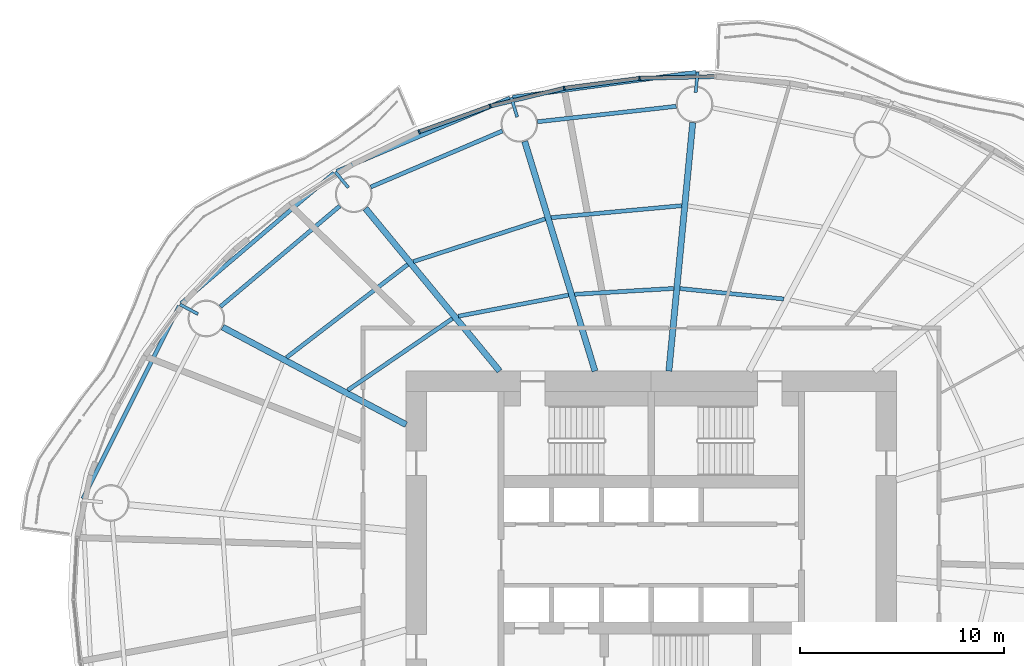
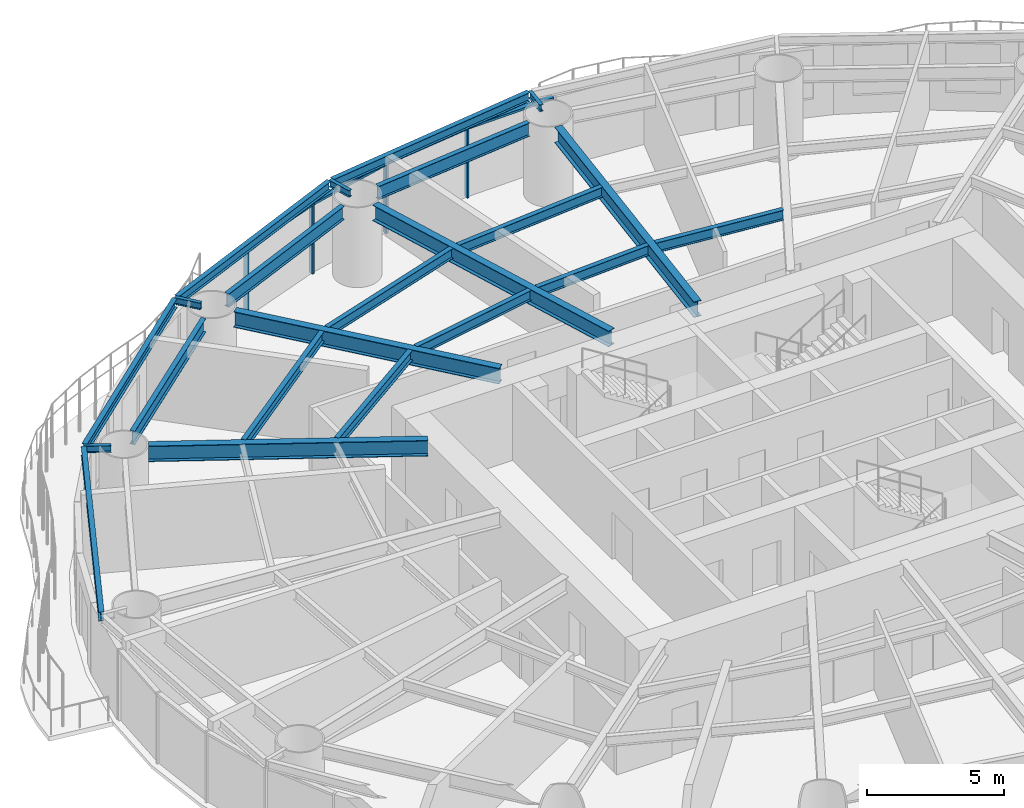
# One storey, part 5 of 17: 22 beams, 8 members, 4 elements without a shape of their own.
"""IFC4 building model written with IfcOpenShell, lengths in metres."""

import ifcopenshell
import ifcopenshell.guid

model = None  # the IFC model being written
_history = None  # IfcOwnerHistory: only IFC2X3 demands one
_inside = {}  # id of a spatial element -> (the spatial element, [elements in it])
_under = {}  # id of a project, library or spatial element -> (it, [spatial elements below it])
_declared = {}  # id of a project -> (the project, [libraries it declares])
_typed = {}  # id of a type object -> (the type object, [elements of that type])
_made_of = {}  # id of a material, layer set ... -> (it, [elements and type objects made of it])


def new_model(schema):
    """Start an empty IFC model of exactly this schema.

    Asked for "IFC4X3", IfcOpenShell would pick the latest addendum, in which some entities
    have other attributes; the version numbers below select the first issue.
    IFC2X3 requires an IfcOwnerHistory on every rooted entity: one is made here for all.
    """
    global model, _history
    if schema == "IFC4X3":
        model = ifcopenshell.file(schema_version=(4, 3, 0, 0))
    else:
        model = ifcopenshell.file(schema=schema)
    _inside.clear()
    _under.clear()
    _declared.clear()
    _typed.clear()
    _made_of.clear()
    _history = None
    if model.schema == "IFC2X3":
        org = make("IfcOrganization", Name="unknown")
        user = make(
            "IfcPersonAndOrganization",
            ThePerson=make("IfcPerson", FamilyName="unknown"),
            TheOrganization=org,
        )
        app = make(
            "IfcApplication",
            ApplicationDeveloper=org,
            Version="unknown",
            ApplicationFullName="unknown",
            ApplicationIdentifier="unknown",
        )
        _history = make(
            "IfcOwnerHistory",
            OwningUser=user,
            OwningApplication=app,
            ChangeAction="ADDED",
            CreationDate=0,
        )
    return model


def make(cls, **values):
    """One entity of the class cls with the attributes given. An attribute that is None is left unset."""
    return model.create_entity(
        cls, **{name: value for name, value in values.items() if value is not None}
    )


def rooted(cls, **values):
    """An entity with a GlobalId (a new one), such as an element, a storey or a relation."""
    return make(cls, GlobalId=ifcopenshell.guid.new(), OwnerHistory=_history, **values)


def si_unit(unit_type, name, prefix=None):
    """IfcSIUnit, for example si_unit("LENGTHUNIT", "METRE", prefix="MILLI")."""
    return make("IfcSIUnit", UnitType=unit_type, Prefix=prefix, Name=name)


def assignment(units):
    """IfcUnitAssignment: the units of a project."""
    return None if units is None else make("IfcUnitAssignment", Units=units)


def point(xyz):
    """IfcCartesianPoint."""
    return None if xyz is None else make("IfcCartesianPoint", Coordinates=xyz)


def direction(xyz):
    """IfcDirection."""
    return None if xyz is None else make("IfcDirection", DirectionRatios=xyz)


def frame(location, z_axis=None, x_axis=None):
    """IfcAxis2Placement3D, a coordinate frame: its origin and axes. An axis left out is left unset."""
    return make(
        "IfcAxis2Placement3D",
        Location=point(location),
        Axis=direction(z_axis),
        RefDirection=direction(x_axis),
    )


def frame_2d(location, x_axis=None):
    """IfcAxis2Placement2D, a coordinate frame in the plane: its origin and x axis."""
    return make(
        "IfcAxis2Placement2D", Location=point(location), RefDirection=direction(x_axis)
    )


def origin():
    """The frame at (0, 0, 0) with its axes left unset."""
    return frame((0.0, 0.0, 0.0))


def origin_2d():
    """The frame at (0, 0) in the plane with its x axis left unset."""
    return frame_2d((0.0, 0.0))


def place(relative_to, where):
    """IfcLocalPlacement: puts the frame where relative to a parent placement (None: the world)."""
    return make(
        "IfcLocalPlacement", PlacementRelTo=relative_to, RelativePlacement=where
    )


def context(
    kind, dimensions, precision=None, world=None, true_north=None, identifier=None
):
    """IfcGeometricRepresentationContext, for example the 3D "Model" context."""
    return make(
        "IfcGeometricRepresentationContext",
        ContextIdentifier=identifier,
        ContextType=kind,
        CoordinateSpaceDimension=dimensions,
        Precision=precision,
        WorldCoordinateSystem=world,
        TrueNorth=true_north,
    )


def subcontext(parent, identifier, kind, view, scale=None):
    """IfcGeometricRepresentationSubContext, for example "Body" below "Model"."""
    return make(
        "IfcGeometricRepresentationSubContext",
        ContextIdentifier=identifier,
        ContextType=kind,
        ParentContext=parent,
        TargetScale=scale,
        TargetView=view,
    )


def project(units=None, contexts=None):
    """IfcProject with its units and contexts."""
    return rooted(
        "IfcProject",
        Name="project",
        RepresentationContexts=contexts,
        UnitsInContext=assignment(units),
    )


def spatial(cls, under=None, at=None, **own):
    """A site, building, storey or space (cls), placed at a placement, below another one or the project."""
    s = rooted(cls, ObjectPlacement=at, **own)
    if under is not None:
        _under.setdefault(under.id(), (under, []))[1].append(s)
    return s


def profile(cls, at=None, kind="AREA", **sizes):
    """A parametric profile (cls). Its sizes go by their IFC names, for example OverallWidth=200.0."""
    return make(cls, ProfileType=kind, Position=at, **sizes)


def rectangle(**sizes):
    """IfcRectangleProfileDef."""
    return profile("IfcRectangleProfileDef", **sizes)


def i_section(**sizes):
    """IfcIShapeProfileDef."""
    return profile("IfcIShapeProfileDef", **sizes)


def extrude(swept, where, along, depth):
    """IfcExtrudedAreaSolid: the profile swept, set in the frame where, extruded along a direction by depth."""
    return make(
        "IfcExtrudedAreaSolid",
        SweptArea=swept,
        Position=where,
        ExtrudedDirection=direction(along),
        Depth=depth,
    )


def shape(context_of_items, identifier, shape_type, items):
    """IfcShapeRepresentation: the items that make up one representation, for example the "Body"."""
    return make(
        "IfcShapeRepresentation",
        ContextOfItems=context_of_items,
        RepresentationIdentifier=identifier,
        RepresentationType=shape_type,
        Items=items,
    )


def material(Name=None, Category=None):
    """IfcMaterial."""
    return make("IfcMaterial", Name=Name, Category=Category)


def material_profile(
    of_material, cross_section, Name=None, Category=None, Priority=None
):
    """IfcMaterialProfile: a cross section and its material."""
    return make(
        "IfcMaterialProfile",
        Name=Name,
        Material=of_material,
        Profile=cross_section,
        Priority=Priority,
        Category=Category,
    )


def profile_set(profiles, Name=None, composite=None):
    """IfcMaterialProfileSet."""
    return make(
        "IfcMaterialProfileSet",
        Name=Name,
        MaterialProfiles=profiles,
        CompositeProfile=composite,
    )


def made_of(thing, what):
    """Note that an element or type object is made of a material, layer set ...; save() writes the relation."""
    if what is not None:
        _made_of.setdefault(what.id(), (what, []))[1].append(thing)
    return thing


def type_object(cls, material=None, **own):
    """A type object (cls), such as IfcWallType, which elements share."""
    return made_of(rooted(cls, **own), material)


def element(
    cls,
    number,
    at=None,
    inside=None,
    cuts=None,
    type_object=None,
    material=None,
    context=None,
    identifier="Body",
    shape_type=None,
    held_by="IfcProductDefinitionShape",
    body=None,
    shapes=None,
    **own,
):
    """One element of the class cls, such as IfcWall. Its Tag is "e" and its number.

    at: its placement. inside: the storey or other place that contains it. cuts: it is an
    opening in that element (IfcRelVoidsElement). A single representation is given by context,
    identifier, shape_type and body (its items); several are given by shapes. held_by: the class
    of the entity that holds the representations. save() writes the other relations.
    """
    e = rooted(cls, Tag="e%d" % number, ObjectPlacement=at, **own)
    if body is not None:
        shapes = [shape(context, identifier, shape_type, body)]
    if shapes is not None:
        e.Representation = make(held_by, Representations=shapes)
    if inside is not None:
        _inside.setdefault(inside.id(), (inside, []))[1].append(e)
    if cuts is not None:
        rooted(
            "IfcRelVoidsElement", RelatingBuildingElement=cuts, RelatedOpeningElement=e
        )
    if type_object is not None:
        _typed.setdefault(type_object.id(), (type_object, []))[1].append(e)
    return made_of(e, material)


def aggregate(whole, parts):
    """IfcRelAggregates: a whole, such as a stair, and the parts it consists of."""
    return rooted("IfcRelAggregates", RelatingObject=whole, RelatedObjects=parts)


def save(model, path):
    """Write the relations noted so far, then the file.

    IfcRelAggregates (storeys below a building ...), IfcRelContainedInSpatialStructure (elements
    in a storey), IfcRelDefinesByType, IfcRelAssociatesMaterial and IfcRelDeclares: one each for
    every whole, place, type object, material and project.
    """
    for whole, parts in _under.values():
        aggregate(whole, parts)
    for where, things in _inside.values():
        rooted(
            "IfcRelContainedInSpatialStructure",
            RelatedElements=things,
            RelatingStructure=where,
        )
    for kind, things in _typed.values():
        rooted("IfcRelDefinesByType", RelatedObjects=things, RelatingType=kind)
    for what, things in _made_of.values():
        rooted("IfcRelAssociatesMaterial", RelatedObjects=things, RelatingMaterial=what)
    for by, libraries in _declared.values():
        rooted("IfcRelDeclares", RelatingContext=by, RelatedDefinitions=libraries)
    model.write(path)


model = new_model("IFC4")

# Units and contexts
model_context = context("Model", 3, precision=1e-05, world=origin(), true_north=direction((0.0, 1.0)))
body_context = subcontext(model_context, "Body", "Model", "MODEL_VIEW")
ifc_project = project(units=[si_unit("LENGTHUNIT", "METRE"), si_unit("AREAUNIT", "SQUARE_METRE"), si_unit("VOLUMEUNIT", "CUBIC_METRE"), si_unit("PLANEANGLEUNIT", "RADIAN"), si_unit("MASSUNIT", "GRAM", prefix="KILO")], contexts=[model_context])

# Site, building, storey
site_placement = place(None, origin())
site = spatial("IfcSite", under=ifc_project, at=site_placement, CompositionType="ELEMENT")
building_placement = place(site_placement, origin())
building = spatial("IfcBuilding", under=site, at=building_placement, Name="Vermilion Reach Broadcast Tower", CompositionType="ELEMENT")
storey_placement = place(building_placement, frame((0.0, 0.0, 76.699951171875)))
storey = spatial("IfcBuildingStorey", under=building, at=storey_placement, Name="L16", CompositionType="ELEMENT", Elevation=76.699951171875)

# Beams
ifc_material_1 = material(Name="Steel S355J2", Category="steel")
ifc_material_profile_1 = material_profile(ifc_material_1, i_section(OverallWidth=0.199951171875, OverallDepth=0.39990234375, WebThickness=0.008056640625, FlangeThickness=0.012939453125, at=origin_2d()), Name="S355J2 HN 400x200x8x13")
ifc_profile_set_1 = profile_set([ifc_material_profile_1], Name="Steel S355J2")
beam_type_1 = type_object("IfcBeamType", Name="EB1 HN 400x200x8x13", PredefinedType="BEAM", material=ifc_profile_set_1)
beam_1_placement = place(storey_placement, frame((-3.804443359375, 23.627197265625, 3.35009765625), z_axis=(-0.990840338484, -0.135038600531, 0.0), x_axis=(0.135038600531, -0.990840338484, 0.0)))
element("IfcBeam", 1, at=beam_1_placement, inside=storey, type_object=beam_type_1, Name="Edge beam EB1-04", PredefinedType="BEAM", context=body_context, shape_type="SweptSolid", body=[
    extrude(i_section(OverallWidth=0.199951171875, OverallDepth=0.39990234375, WebThickness=0.008056640625, FlangeThickness=0.012939453125, at=origin_2d()), origin(), (0.0, 0.0, 1.0), 9.05419921875),
])
beam_2_placement = place(storey_placement, frame((-12.92041015625, 22.36474609375, 3.35009765625), z_axis=(-0.921083341804, -0.38936548056, 0.0), x_axis=(0.38936548056, -0.921083341804, 0.0)))
element("IfcBeam", 2, at=beam_2_placement, inside=storey, type_object=beam_type_1, Name="Edge beam EB1-05", PredefinedType="BEAM", context=body_context, shape_type="SweptSolid", body=[
    extrude(i_section(OverallWidth=0.199951171875, OverallDepth=0.39990234375, WebThickness=0.008056640625, FlangeThickness=0.012939453125, at=origin_2d()), origin(), (0.0, 0.0, 1.0), 9.19775390625),
])
beam_3_placement = place(storey_placement, frame((-21.521484375, 18.704345703125, 3.35009765625), z_axis=(-0.760702483085, -0.64910071039, 0.0), x_axis=(0.64910071039, -0.760702483085, 0.0)))
element("IfcBeam", 3, at=beam_3_placement, inside=storey, type_object=beam_type_1, Name="Edge beam EB1-06", PredefinedType="BEAM", context=body_context, shape_type="SweptSolid", body=[
    extrude(i_section(OverallWidth=0.199951171875, OverallDepth=0.39990234375, WebThickness=0.008056640625, FlangeThickness=0.012939453125, at=origin_2d()), origin(), (0.0, 0.0, 1.0), 9.84423828125),
])
beam_4_placement = place(storey_placement, frame((-29.10498046875, 12.195068359375, 3.35009765625), z_axis=(-0.446732551643, -0.894667551274, 0.0), x_axis=(0.894667551274, -0.446732551643, 0.0)))
element("IfcBeam", 4, at=beam_4_placement, inside=storey, type_object=beam_type_1, Name="Edge beam EB1-07", PredefinedType="BEAM", context=body_context, shape_type="SweptSolid", body=[
    extrude(i_section(OverallWidth=0.199951171875, OverallDepth=0.39990234375, WebThickness=0.008056640625, FlangeThickness=0.012939453125, at=origin_2d()), origin(), (0.0, 0.0, 1.0), 10.557861328125),
])
ifc_material_2 = material(Name="Steel S355J2", Category="steel")
ifc_material_profile_2 = material_profile(ifc_material_2, i_section(OverallWidth=0.300048828125, OverallDepth=0.699951171875, WebThickness=0.012939453125, FlangeThickness=0.02392578125, at=origin_2d()), Name="S355J2 HN 700x300x13x24")
ifc_profile_set_2 = profile_set([ifc_material_profile_2], Name="Steel S355J2")
beam_type_2 = type_object("IfcBeamType", Name="G1 HN 700x300x13x24", PredefinedType="BEAM", material=ifc_profile_set_2)
beam_5_placement = place(storey_placement, frame((-5.135009765625, 9.0, 3.199951171875), z_axis=(0.09566673912, 0.995413419151, 0.0), x_axis=(-0.995413419151, 0.09566673912, 0.0)))
element("IfcBeam", 5, at=beam_5_placement, inside=storey, type_object=beam_type_2, Name="Girder G1-04", PredefinedType="BEAM", context=body_context, shape_type="SweptSolid", body=[
    extrude(i_section(OverallWidth=0.300048828125, OverallDepth=0.699951171875, WebThickness=0.012939453125, FlangeThickness=0.02392578125, at=origin_2d()), origin(), (0.0, 0.0, 1.0), 12.22412109375),
])
beam_6_placement = place(storey_placement, frame((-8.753173828125, 9.0, 3.199951171875), z_axis=(-0.292542302886, 0.95625258223, 0.0), x_axis=(-0.95625258223, -0.292542302886, 0.0)))
element("IfcBeam", 6, at=beam_6_placement, inside=storey, type_object=beam_type_2, Name="Girder G1-05", PredefinedType="BEAM", context=body_context, shape_type="SweptSolid", body=[
    extrude(i_section(OverallWidth=0.300048828125, OverallDepth=0.699951171875, WebThickness=0.012939453125, FlangeThickness=0.02392578125, at=origin_2d()), origin(), (0.0, 0.0, 1.0), 11.76220703125),
])
beam_7_placement = place(storey_placement, frame((-13.421630859375, 9.0, 3.199951171875), z_axis=(-0.636215165107, 0.77151167437, 0.0), x_axis=(-0.77151167437, -0.636215165107, 0.0)))
element("IfcBeam", 7, at=beam_7_placement, inside=storey, type_object=beam_type_2, Name="Girder G1-06", PredefinedType="BEAM", context=body_context, shape_type="SweptSolid", body=[
    extrude(i_section(OverallWidth=0.300048828125, OverallDepth=0.699951171875, WebThickness=0.012939453125, FlangeThickness=0.02392578125, at=origin_2d()), origin(), (0.0, 0.0, 1.0), 10.3251953125),
])
beam_8_placement = place(storey_placement, frame((-18.0, 6.3779296875, 3.199951171875), z_axis=(-0.883032139419, 0.469312519279, 0.0), x_axis=(-0.469312519279, -0.883032139419, 0.0)))
element("IfcBeam", 8, at=beam_8_placement, inside=storey, type_object=beam_type_2, Name="Girder G1-07", PredefinedType="BEAM", context=body_context, shape_type="SweptSolid", body=[
    extrude(i_section(OverallWidth=0.300048828125, OverallDepth=0.699951171875, WebThickness=0.012939453125, FlangeThickness=0.02392578125, at=origin_2d()), origin(), (0.0, 0.0, 1.0), 10.17529296875),
])
ifc_material_3 = material(Name="Steel S355J2", Category="steel")
ifc_material_profile_3 = material_profile(ifc_material_3, i_section(OverallWidth=0.14990234375, OverallDepth=0.300048828125, WebThickness=0.006591796875, FlangeThickness=0.009033203125, at=origin_2d()), Name="S355J2 HN 300x150x6.5x9")
ifc_profile_set_3 = profile_set([ifc_material_profile_3], Name="Steel S355J2")
beam_type_3 = type_object("IfcBeamType", Name="GS1 HN 300x150x6.5x9", PredefinedType="BEAM", material=ifc_profile_set_3)
for number, where, z_axis, x_axis, name in (
    (9, (-3.82373046875, 22.642333984375, 3.400146484375), (0.095707754417, 0.995409476419, 0.0), (-0.995409476419, 0.095707754417, 0.0), "Cantilever stub GS1-04"),
    (10, (-12.558349609375, 21.43798828125, 3.400146484375), (-0.292472824594, 0.95627383467, 0.0), (-0.95627383467, -0.292472824594, 0.0), "Cantilever stub GS1-05"),
    (11, (-20.828125, 17.9814453125, 3.400146484375), (-0.636237674108, 0.771493112118, 0.0), (-0.771493112118, -0.636237674108, 0.0), "Cantilever stub GS1-06"),
    (12, (-28.1884765625, 11.792724609375, 3.400146484375), (-0.882967123333, 0.469434829463, 0.0), (-0.469434829463, -0.882967123333, 0.0), "Cantilever stub GS1-07"),
):
    element("IfcBeam", number, at=place(storey_placement, frame(where, z_axis=z_axis, x_axis=x_axis)), inside=storey, type_object=beam_type_3, Name=name, PredefinedType="BEAM", context=body_context, shape_type="SweptSolid", body=[
        extrude(i_section(OverallWidth=0.14990234375, OverallDepth=0.300048828125, WebThickness=0.006591796875, FlangeThickness=0.009033203125, at=origin_2d()), origin(), (0.0, 0.0, 1.0), 1.0),
    ])
ifc_material_4 = material(Name="Steel S355J2", Category="steel")
ifc_material_profile_4 = material_profile(ifc_material_4, i_section(OverallWidth=0.199951171875, OverallDepth=0.60009765625, WebThickness=0.010986328125, FlangeThickness=0.01708984375, at=origin_2d()), Name="S355J2 HN 600x200x11x17")
ifc_profile_set_4 = profile_set([ifc_material_profile_4], Name="Steel S355J2")
beam_type_4 = type_object("IfcBeamType", Name="RB1 HN 600x200x11x17", PredefinedType="BEAM", material=ifc_profile_set_4)
beam_9_placement = place(storey_placement, frame((-4.77392578125, 21.964111328125, 3.25), z_axis=(-0.993851439324, -0.110721798009, 0.0), x_axis=(0.110721798009, -0.993851439324, 0.0)))
element("IfcBeam", 13, at=beam_9_placement, inside=storey, type_object=beam_type_4, Name="Ring beam RB1-04", PredefinedType="BEAM", context=body_context, shape_type="SweptSolid", body=[
    extrude(i_section(OverallWidth=0.199951171875, OverallDepth=0.60009765625, WebThickness=0.010986328125, FlangeThickness=0.01708984375, at=origin_2d()), origin(), (0.0, 0.0, 1.0), 6.8310546875),
])
beam_10_placement = place(storey_placement, frame((-13.28564453125, 20.755859375, 3.25), z_axis=(-0.920220846584, -0.391399531825, 0.0), x_axis=(0.391399531825, -0.920220846584, 0.0)))
element("IfcBeam", 14, at=beam_10_placement, inside=storey, type_object=beam_type_4, Name="Ring beam RB1-05", PredefinedType="BEAM", context=body_context, shape_type="SweptSolid", body=[
    extrude(i_section(OverallWidth=0.199951171875, OverallDepth=0.60009765625, WebThickness=0.010986328125, FlangeThickness=0.01708984375, at=origin_2d()), origin(), (0.0, 0.0, 1.0), 7.008544921875),
])
beam_11_placement = place(storey_placement, frame((-21.251220703125, 17.080322265625, 3.25), z_axis=(-0.764512441084, -0.6446089725, 0.0), x_axis=(0.6446089725, -0.764512441084, 0.0)))
element("IfcBeam", 15, at=beam_11_placement, inside=storey, type_object=beam_type_4, Name="Ring beam RB1-06", PredefinedType="BEAM", context=body_context, shape_type="SweptSolid", body=[
    extrude(i_section(OverallWidth=0.199951171875, OverallDepth=0.60009765625, WebThickness=0.010986328125, FlangeThickness=0.01708984375, at=origin_2d()), origin(), (0.0, 0.0, 1.0), 7.6396484375),
])
ifc_material_5 = material(Name="Steel S355J2", Category="steel")
ifc_material_profile_5 = material_profile(ifc_material_5, i_section(OverallWidth=0.199951171875, OverallDepth=0.449951171875, WebThickness=0.009033203125, FlangeThickness=0.013916015625, at=origin_2d()), Name="S355J2 HN 450x200x9x14")
ifc_profile_set_5 = profile_set([ifc_material_profile_5], Name="Steel S355J2")
beam_type_5 = type_object("IfcBeamType", Name="SB1 HN 450x200x9x14", PredefinedType="BEAM", material=ifc_profile_set_5)
beam_12_placement = place(storey_placement, frame((0.490234375, 12.531005859375, 3.324951171875), z_axis=(-0.995010199331, 0.099773259079, 0.0), x_axis=(-0.099773259079, -0.995010199331, 0.0)))
element("IfcBeam", 16, at=beam_12_placement, inside=storey, type_object=beam_type_5, Name="Secondary beam SB1-03-1", PredefinedType="BEAM", context=body_context, shape_type="SweptSolid", body=[
    extrude(i_section(OverallWidth=0.199951171875, OverallDepth=0.449951171875, WebThickness=0.009033203125, FlangeThickness=0.013916015625, at=origin_2d()), origin(), (0.0, 0.0, 1.0), 5.111572265625),
])
beam_13_placement = place(storey_placement, frame((-4.896728515625, 13.046875, 3.324951171875), z_axis=(-0.99823410974, -0.059402543307, 0.0), x_axis=(0.059402543307, -0.99823410974, 0.0)))
element("IfcBeam", 17, at=beam_13_placement, inside=storey, type_object=beam_type_5, Name="Secondary beam SB1-04-1", PredefinedType="BEAM", context=body_context, shape_type="SweptSolid", body=[
    extrude(i_section(OverallWidth=0.199951171875, OverallDepth=0.449951171875, WebThickness=0.009033203125, FlangeThickness=0.013916015625, at=origin_2d()), origin(), (0.0, 0.0, 1.0), 4.85791015625),
])
beam_14_placement = place(storey_placement, frame((-4.50732421875, 17.09814453125, 3.324951171875), z_axis=(-0.995818616382, -0.091352521952, 0.0), x_axis=(0.091352521952, -0.995818616382, 0.0)))
element("IfcBeam", 18, at=beam_14_placement, inside=storey, type_object=beam_type_5, Name="Secondary beam SB1-04-2", PredefinedType="BEAM", context=body_context, shape_type="SweptSolid", body=[
    extrude(i_section(OverallWidth=0.199951171875, OverallDepth=0.449951171875, WebThickness=0.009033203125, FlangeThickness=0.013916015625, at=origin_2d()), origin(), (0.0, 0.0, 1.0), 6.4140625),
])
beam_15_placement = place(storey_placement, frame((-10.04833984375, 12.720703125, 3.324951171875), z_axis=(-0.982151348822, -0.188092339045, 0.0), x_axis=(0.188092339045, -0.982151348822, 0.0)))
element("IfcBeam", 19, at=beam_15_placement, inside=storey, type_object=beam_type_5, Name="Secondary beam SB1-05-1", PredefinedType="BEAM", context=body_context, shape_type="SweptSolid", body=[
    extrude(i_section(OverallWidth=0.199951171875, OverallDepth=0.449951171875, WebThickness=0.009033203125, FlangeThickness=0.013916015625, at=origin_2d()), origin(), (0.0, 0.0, 1.0), 5.4931640625),
])
beam_16_placement = place(storey_placement, frame((-11.18994140625, 16.4521484375, 3.324951171875), z_axis=(-0.951332300844, -0.308166924523, 0.0), x_axis=(0.308166924523, -0.951332300844, 0.0)))
element("IfcBeam", 20, at=beam_16_placement, inside=storey, type_object=beam_type_5, Name="Secondary beam SB1-05-2", PredefinedType="BEAM", context=body_context, shape_type="SweptSolid", body=[
    extrude(i_section(OverallWidth=0.199951171875, OverallDepth=0.449951171875, WebThickness=0.009033203125, FlangeThickness=0.013916015625, at=origin_2d()), origin(), (0.0, 0.0, 1.0), 6.787841796875),
])
beam_17_placement = place(storey_placement, frame((-15.735595703125, 11.5703125, 3.324951171875), z_axis=(-0.825140253447, -0.564927926502, 0.0), x_axis=(0.564927926502, -0.825140253447, 0.0)))
element("IfcBeam", 21, at=beam_17_placement, inside=storey, type_object=beam_type_5, Name="Secondary beam SB1-06-1", PredefinedType="BEAM", context=body_context, shape_type="SweptSolid", body=[
    extrude(i_section(OverallWidth=0.199951171875, OverallDepth=0.449951171875, WebThickness=0.009033203125, FlangeThickness=0.013916015625, at=origin_2d()), origin(), (0.0, 0.0, 1.0), 6.20458984375),
])
beam_18_placement = place(storey_placement, frame((-17.920166015625, 14.21923828125, 3.324951171875), z_axis=(-0.793349617473, -0.60876628065, 0.0), x_axis=(0.60876628065, -0.793349617473, 0.0)))
element("IfcBeam", 22, at=beam_18_placement, inside=storey, type_object=beam_type_5, Name="Secondary beam SB1-06-2", PredefinedType="BEAM", context=body_context, shape_type="SweptSolid", body=[
    extrude(i_section(OverallWidth=0.199951171875, OverallDepth=0.449951171875, WebThickness=0.009033203125, FlangeThickness=0.013916015625, at=origin_2d()), origin(), (0.0, 0.0, 1.0), 7.486328125),
])

# Curtain wall, member
ifc_material_6 = material(Name="Low-e laminated clear glass in aluminium frame", Category="aluminium")
curtain_wall_type = type_object("IfcCurtainWallType", Name="Slot curtain wall", PredefinedType="NOTDEFINED", material=ifc_material_6)
placement = place(storey_placement, origin())
curtain_wall_1 = element("IfcCurtainWall", 23, at=placement, inside=storey, type_object=curtain_wall_type, Name="Slot curtain wall L16 11", PredefinedType="NOTDEFINED")
ifc_material_7 = material(Name="Anodised aluminium", Category="aluminium")
ifc_material_profile_6 = material_profile(ifc_material_7, rectangle(XDim=0.199951171875, YDim=0.080078125, at=origin_2d()), Name="Slot mullion 80 x 200")
ifc_profile_set_6 = profile_set([ifc_material_profile_6], Name="Anodised aluminium")
member_type_1 = type_object("IfcMemberType", Name="Slot mullion 80 x 200", PredefinedType="MULLION", material=ifc_profile_set_6)
member_1_placement = place(storey_placement, frame((-6.568115234375, 23.333984375, 0.0), z_axis=(0.0, 0.0, 1.0), x_axis=(0.076615711276, -0.997060696641, 0.0)))
member_1 = element("IfcMember", 24, at=member_1_placement, type_object=member_type_1, Name="Slot mullion L16 11", PredefinedType="MULLION", context=body_context, shape_type="SweptSolid", body=[
    extrude(rectangle(XDim=0.199951171875, YDim=0.080078125, at=origin_2d()), origin(), (0.0, 0.0, 1.0), 3.150146484375),
])

curtain_wall_2 = element("IfcCurtainWall", 25, at=placement, inside=storey, type_object=curtain_wall_type, Name="Slot curtain wall L16 12", PredefinedType="NOTDEFINED")
member_2_placement = place(storey_placement, frame((-10.259521484375, 22.848876953125, 0.0), z_axis=(0.0, 0.0, 1.0), x_axis=(0.18326521436, -0.983063508226, 0.0)))
member_2 = element("IfcMember", 26, at=member_2_placement, type_object=member_type_1, Name="Slot mullion L16 12", PredefinedType="MULLION", context=body_context, shape_type="SweptSolid", body=[
    extrude(rectangle(XDim=0.199951171875, YDim=0.080078125, at=origin_2d()), origin(), (0.0, 0.0, 1.0), 3.150146484375),
])

# Curtain wall, members
curtain_wall_3 = element("IfcCurtainWall", 27, at=placement, inside=storey, type_object=curtain_wall_type, Name="Slot curtain wall L16 13", PredefinedType="NOTDEFINED")
member_3_placement = place(storey_placement, frame((-13.8779296875, 21.97119140625, 0.0), z_axis=(0.0, 0.0, 1.0), x_axis=(0.287794119041, -0.957692301862, 0.0)))
member_3 = element("IfcMember", 28, at=member_3_placement, type_object=member_type_1, Name="Slot mullion L16 13", PredefinedType="MULLION", context=body_context, shape_type="SweptSolid", body=[
    extrude(rectangle(XDim=0.199951171875, YDim=0.080078125, at=origin_2d()), origin(), (0.0, 0.0, 1.0), 3.150146484375),
])
member_4_placement = place(storey_placement, frame((-17.360595703125, 20.71630859375, 0.0), z_axis=(0.0, 0.0, 1.0), x_axis=(0.390104441106, -0.920770614773, 0.0)))
member_4 = element("IfcMember", 29, at=member_4_placement, type_object=member_type_1, Name="Slot mullion L16 14", PredefinedType="MULLION", context=body_context, shape_type="SweptSolid", body=[
    extrude(rectangle(XDim=0.199951171875, YDim=0.080078125, at=origin_2d()), origin(), (0.0, 0.0, 1.0), 3.150146484375),
])

# Curtain wall, member
curtain_wall_4 = element("IfcCurtainWall", 30, at=placement, inside=storey, type_object=curtain_wall_type, Name="Slot curtain wall L16 10", PredefinedType="NOTDEFINED")
ifc_material_8 = material(Name="Anodised aluminium", Category="aluminium")
ifc_material_profile_7 = material_profile(ifc_material_8, rectangle(XDim=0.199951171875, YDim=0.10009765625, at=origin_2d()), Name="Slot transom 200 x 100")
ifc_profile_set_7 = profile_set([ifc_material_profile_7], Name="Anodised aluminium")
member_type_2 = type_object("IfcMemberType", Name="Slot transom 200 x 100", PredefinedType="USERDEFINED", material=ifc_profile_set_7)
member_5_placement = place(storey_placement, frame((-2.9072265625, 23.417236328125, 3.10009765625), z_axis=(-0.999741939936, -0.022716811662, 0.0), x_axis=(0.022716811662, -0.999741939936, 0.0)))
member_5 = element("IfcMember", 31, at=member_5_placement, type_object=member_type_2, Name="Slot transom L16 10.1", ObjectType="TRANSOM", PredefinedType="USERDEFINED", context=body_context, shape_type="SweptSolid", body=[
    extrude(rectangle(XDim=0.199951171875, YDim=0.10009765625, at=origin_2d()), origin(), (0.0, 0.0, 1.0), 3.621826171875),
])
aggregate(curtain_wall_4, [member_5])

# Member
member_6_placement = place(storey_placement, frame((-6.607666015625, 23.328857421875, 3.10009765625), z_axis=(-0.991478910517, -0.130267302112, 0.0), x_axis=(0.130267302112, -0.991478910517, 0.0)))
member_6 = element("IfcMember", 32, at=member_6_placement, type_object=member_type_2, Name="Slot transom L16 11.1", ObjectType="TRANSOM", PredefinedType="USERDEFINED", context=body_context, shape_type="SweptSolid", body=[
    extrude(rectangle(XDim=0.199951171875, YDim=0.10009765625, at=origin_2d()), origin(), (0.0, 0.0, 1.0), 3.643310546875),
])

aggregate(curtain_wall_1, [member_1, member_6])

member_7_placement = place(storey_placement, frame((-10.29833984375, 22.839599609375, 3.10009765625), z_axis=(-0.971813827273, -0.2357496238, 0.0), x_axis=(0.2357496238, -0.971813827273, 0.0)))
member_7 = element("IfcMember", 33, at=member_7_placement, type_object=member_type_2, Name="Slot transom L16 12.1", ObjectType="TRANSOM", PredefinedType="USERDEFINED", context=body_context, shape_type="SweptSolid", body=[
    extrude(rectangle(XDim=0.199951171875, YDim=0.10009765625, at=origin_2d()), origin(), (0.0, 0.0, 1.0), 3.643310546875),
])

aggregate(curtain_wall_2, [member_2, member_7])

member_8_placement = place(storey_placement, frame((-13.91552734375, 21.957763671875, 3.10009765625), z_axis=(-0.940761886132, -0.339067948355, 0.0), x_axis=(0.339067948355, -0.940761886132, 0.0)))
member_8 = element("IfcMember", 34, at=member_8_placement, type_object=member_type_2, Name="Slot transom L16 13.1", ObjectType="TRANSOM", PredefinedType="USERDEFINED", context=body_context, shape_type="SweptSolid", body=[
    extrude(rectangle(XDim=0.199951171875, YDim=0.10009765625, at=origin_2d()), origin(), (0.0, 0.0, 1.0), 3.621826171875),
])

aggregate(curtain_wall_3, [member_3, member_4, member_8])

save(model, "model.ifc")
